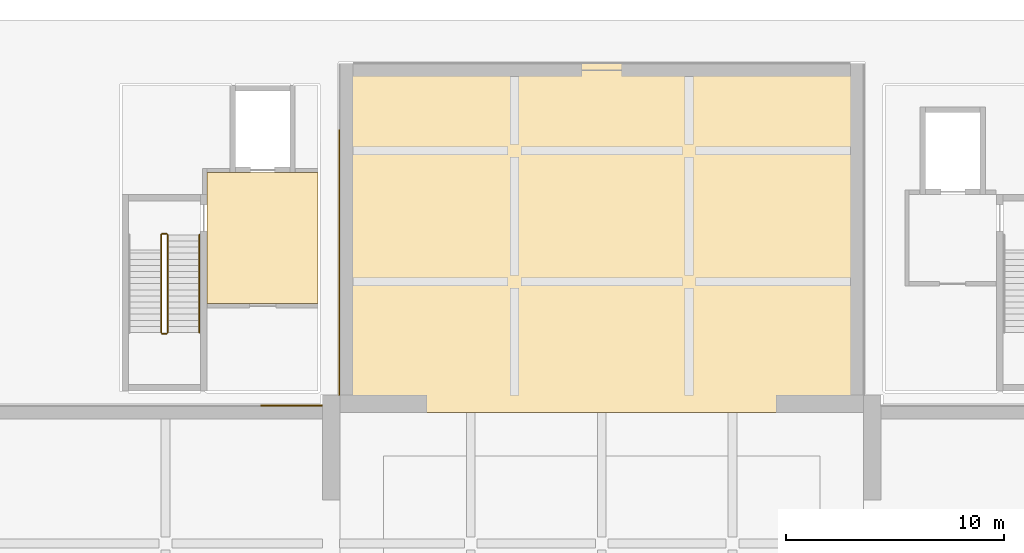
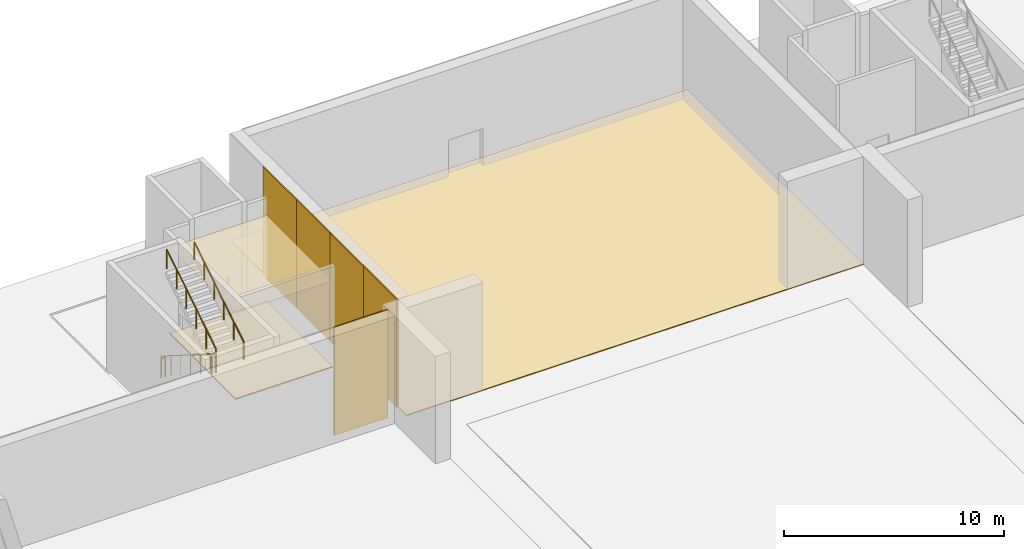
# One storey, part 137 of 155: 8 coverings, 5 railings.
"""IFC4 building model written with IfcOpenShell, lengths in metres."""

from ifc_helpers import new_model, si_unit, direction, frame, origin, origin_2d, place, context, subcontext, project, spatial, polyline, rectangle, circle, outline, extrude, material, layer, layer_set, type_object, element, save


model = new_model("IFC4")

# Units and contexts
model_context = context("Model", 3, precision=1e-05, world=origin(), true_north=direction((0.0, 1.0)))
body_context = subcontext(model_context, "Body", "Model", "MODEL_VIEW")
ifc_project = project(units=[si_unit("LENGTHUNIT", "METRE"), si_unit("AREAUNIT", "SQUARE_METRE"), si_unit("VOLUMEUNIT", "CUBIC_METRE"), si_unit("PLANEANGLEUNIT", "RADIAN"), si_unit("MASSUNIT", "GRAM", prefix="KILO")], contexts=[model_context])

# Site, building, storey
site_placement = place(None, origin())
site = spatial("IfcSite", under=ifc_project, at=site_placement, CompositionType="ELEMENT")
building_placement = place(site_placement, origin())
building = spatial("IfcBuilding", under=site, at=building_placement, Name="Lunette Opera House", CompositionType="ELEMENT")
storey_placement = place(building_placement, origin())
storey = spatial("IfcBuildingStorey", under=building, at=storey_placement, Name="L00", CompositionType="ELEMENT", Elevation=0.0)

# Railings
ifc_material_1 = material(Name="Steel S355", Category="steel")
railing_type_1 = type_object("IfcRailingType", Name="STAIR GUARD 1100", PredefinedType="GUARDRAIL", material=ifc_material_1)
railing_1_placement = place(storey_placement, frame((75.800048828125, 128.14990234375, 0.176513671875)))
element("IfcRailing", 1, at=railing_1_placement, inside=storey, type_object=railing_type_1, Name="L00 ST11 stair guard 1", PredefinedType="GUARDRAIL", context=body_context, shape_type="SweptSolid", body=[
    extrude(circle(Radius=0.02392578125, at=origin_2d()), frame((0.0, 0.0, 1.076171875), z_axis=(0.0, -0.845997938375, 0.533186166611), x_axis=(1.0, 0.0, 0.0)), (0.0, 0.0, 1.0), 5.29541015625),
    extrude(circle(Radius=0.02099609375, at=origin_2d()), origin(), (0.0, 0.0, 1.0), 1.052001953125),
    extrude(circle(Radius=0.02099609375, at=origin_2d()), frame((0.0, -0.89599609375, 0.564697265625)), (0.0, 0.0, 1.0), 1.052001953125),
    extrude(circle(Radius=0.02099609375, at=origin_2d()), frame((0.0, -1.7919921875, 1.12939453125)), (0.0, 0.0, 1.0), 1.052001953125),
    extrude(circle(Radius=0.02099609375, at=origin_2d()), frame((0.0, -2.68798828125, 1.694091796875)), (0.0, 0.0, 1.0), 1.052001953125),
    extrude(circle(Radius=0.02099609375, at=origin_2d()), frame((0.0, -3.583984375, 2.2587890625)), (0.0, 0.0, 1.0), 1.052001953125),
    extrude(circle(Radius=0.02099609375, at=origin_2d()), frame((0.0, -4.47998046875, 2.823486328125)), (0.0, 0.0, 1.0), 1.052001953125),
])
railing_2_placement = place(storey_placement, frame((75.85009765625, 123.6201171875, 3.0)))
element("IfcRailing", 2, at=railing_2_placement, inside=storey, type_object=railing_type_1, Name="L00 ST11 stair guard 2", PredefinedType="GUARDRAIL", context=body_context, shape_type="SweptSolid", body=[
    extrude(circle(Radius=0.02392578125, at=origin_2d()), frame((0.0, 0.0, 1.076171875), z_axis=(1.0, 0.0, 0.0), x_axis=(0.0, 1.0, 0.0)), (0.0, 0.0, 1.0), 0.199951171875),
    extrude(circle(Radius=0.02099609375, at=origin_2d()), origin(), (0.0, 0.0, 1.0), 1.052001953125),
    extrude(circle(Radius=0.02099609375, at=origin_2d()), frame((0.199951171875, 0.0, 0.0)), (0.0, 0.0, 1.0), 1.052001953125),
])
railing_3_placement = place(storey_placement, frame((76.10009765625, 123.669921875, 3.176513671875)))
element("IfcRailing", 3, at=railing_3_placement, inside=storey, type_object=railing_type_1, Name="L00 ST11 stair guard 3", PredefinedType="GUARDRAIL", context=body_context, shape_type="SweptSolid", body=[
    extrude(circle(Radius=0.02392578125, at=origin_2d()), frame((0.0, 0.0, 1.076171875), z_axis=(0.0, 0.845997938375, 0.533186166611), x_axis=(-1.0, 0.0, 0.0)), (0.0, 0.0, 1.0), 5.29541015625),
    extrude(circle(Radius=0.02099609375, at=origin_2d()), origin(), (0.0, 0.0, 1.0), 1.052001953125),
    extrude(circle(Radius=0.02099609375, at=origin_2d()), frame((0.0, 0.89599609375, 0.564697265625)), (0.0, 0.0, 1.0), 1.052001953125),
    extrude(circle(Radius=0.02099609375, at=origin_2d()), frame((0.0, 1.7919921875, 1.12939453125)), (0.0, 0.0, 1.0), 1.052001953125),
    extrude(circle(Radius=0.02099609375, at=origin_2d()), frame((0.0, 2.68798828125, 1.694091796875)), (0.0, 0.0, 1.0), 1.052001953125),
    extrude(circle(Radius=0.02099609375, at=origin_2d()), frame((0.0, 3.583984375, 2.2587890625)), (0.0, 0.0, 1.0), 1.052001953125),
    extrude(circle(Radius=0.02099609375, at=origin_2d()), frame((0.0, 4.47998046875, 2.823486328125)), (0.0, 0.0, 1.0), 1.052001953125),
])
railing_4_placement = place(storey_placement, frame((75.85009765625, 128.199951171875, 0.0)))
element("IfcRailing", 4, at=railing_4_placement, inside=storey, type_object=railing_type_1, Name="L00 ST11 stair guard 4", PredefinedType="GUARDRAIL", context=body_context, shape_type="SweptSolid", body=[
    extrude(circle(Radius=0.02392578125, at=origin_2d()), frame((0.0, 0.0, 1.076171875), z_axis=(1.0, 0.0, 0.0), x_axis=(0.0, 1.0, 0.0)), (0.0, 0.0, 1.0), 0.199951171875),
    extrude(circle(Radius=0.02099609375, at=origin_2d()), origin(), (0.0, 0.0, 1.0), 1.052001953125),
    extrude(circle(Radius=0.02099609375, at=origin_2d()), frame((0.199951171875, 0.0, 0.0)), (0.0, 0.0, 1.0), 1.052001953125),
])
ifc_material_2 = material(Name="Steel S355", Category="steel")
railing_type_2 = type_object("IfcRailingType", Name="STAIR HANDRAIL 1000", PredefinedType="HANDRAIL", material=ifc_material_2)
railing_5_placement = place(storey_placement, frame((77.550048828125, 123.669921875, 3.176513671875)))
element("IfcRailing", 5, at=railing_5_placement, inside=storey, type_object=railing_type_2, Name="L00 ST11 stair handrail 2", PredefinedType="HANDRAIL", context=body_context, shape_type="SweptSolid", body=[
    extrude(circle(Radius=0.02392578125, at=origin_2d()), frame((0.0, 0.0, 0.97607421875), z_axis=(0.0, 0.845997938375, 0.533186166611), x_axis=(-1.0, 0.0, 0.0)), (0.0, 0.0, 1.0), 5.29541015625),
    extrude(circle(Radius=0.02099609375, at=origin_2d()), origin(), (0.0, 0.0, 1.0), 0.951904296875),
    extrude(circle(Radius=0.02099609375, at=origin_2d()), frame((0.0, 0.89599609375, 0.564697265625)), (0.0, 0.0, 1.0), 0.951904296875),
    extrude(circle(Radius=0.02099609375, at=origin_2d()), frame((0.0, 1.7919921875, 1.12939453125)), (0.0, 0.0, 1.0), 0.951904296875),
    extrude(circle(Radius=0.02099609375, at=origin_2d()), frame((0.0, 2.68798828125, 1.694091796875)), (0.0, 0.0, 1.0), 0.951904296875),
    extrude(circle(Radius=0.02099609375, at=origin_2d()), frame((0.0, 3.583984375, 2.2587890625)), (0.0, 0.0, 1.0), 0.951904296875),
    extrude(circle(Radius=0.02099609375, at=origin_2d()), frame((0.0, 4.47998046875, 2.823486328125)), (0.0, 0.0, 1.0), 0.951904296875),
])

# Coverings
ifc_material_3 = material(Name="Aluminium standing seam cladding", Category="aluminium")
ifc_layer_1 = layer(ifc_material_3, 0.06005859375)
ifc_layer_set_1 = layer_set([ifc_layer_1], Name="Aluminium standing seam cladding")
covering_type_1 = type_object("IfcCoveringType", Name="STANDING SEAM CLADDING 60", PredefinedType="CLADDING", material=ifc_layer_set_1)
covering_1_placement = place(storey_placement, frame((81.787109375, 120.330078125, 0.0), z_axis=(0.0, 0.0, 1.0), x_axis=(1.0, 0.0, 0.0)))
element("IfcCovering", 6, at=covering_1_placement, inside=storey, type_object=covering_type_1, Name="Standing seam cladding SW-N-1 L00 07", PredefinedType="CLADDING", context=body_context, shape_type="SweptSolid", body=[
    extrude(rectangle(XDim=2.824951171875, YDim=0.06005859375, at=origin_2d()), origin(), (0.0, 0.0, 1.0), 6.0),
])
for number, where, z_axis, x_axis, name in (
    (7, (83.969970703125, 122.320068359375, 0.0), (0.0, 0.0, 1.0), (0.0, 1.0, 0.0), "Standing seam cladding SR-W-1 L00 00"),
    (8, (83.969970703125, 125.360107421875, 0.0), (0.0, 0.0, 1.0), (0.0, 1.0, 0.0), "Standing seam cladding SR-W-1 L00 01"),
    (9, (83.969970703125, 128.39990234375, 0.0), (0.0, 0.0, 1.0), (0.0, 1.0, 0.0), "Standing seam cladding SR-W-1 L00 02"),
    (10, (83.969970703125, 131.43994140625, 0.0), (0.0, 0.0, 1.0), (0.0, 1.0, 0.0), "Standing seam cladding SR-W-1 L00 03"),
):
    element("IfcCovering", number, at=place(storey_placement, frame(where, z_axis=z_axis, x_axis=x_axis)), inside=storey, type_object=covering_type_1, Name=name, PredefinedType="CLADDING", context=body_context, shape_type="SweptSolid", body=[
        extrude(rectangle(XDim=3.0400390625, YDim=0.06005859375, at=origin_2d()), origin(), (0.0, 0.0, 1.0), 6.0),
    ])
ifc_material_4 = material(Name="Mineral fibre board")
ifc_layer_2 = layer(ifc_material_4, 0.014892578125)
ifc_layer_set_2 = layer_set([ifc_layer_2], Name="Mineral fibre board")
covering_type_2 = type_object("IfcCoveringType", Name="SUSPENDED ACOUSTIC CEILING 15", PredefinedType="CEILING", material=ifc_layer_set_2)
covering_2_placement = place(storey_placement, frame((0.0, 0.0, 4.81494140625)))
element("IfcCovering", 11, at=covering_2_placement, inside=storey, type_object=covering_type_2, Name="Ceiling Lift Lobby L00 Stage Tower", PredefinedType="CEILING", context=body_context, shape_type="SweptSolid", body=[
    extrude(outline(polyline([(83.0, 125.0), (83.0, 131.0), (77.89990234375, 131.0), (77.89990234375, 125.0), (83.0, 125.0)])), origin(), (0.0, 0.0, 1.0), 0.01513671875),
])
ifc_material_5 = material(Name="Terrazzo")
ifc_layer_3 = layer(ifc_material_5, 0.06005859375)
ifc_layer_set_3 = layer_set([ifc_layer_3], Name="Terrazzo")
covering_type_3 = type_object("IfcCoveringType", Name="TERRAZZO FLOOR FINISH 60", PredefinedType="FLOORING", material=ifc_layer_set_3)
covering_3_placement = place(storey_placement, origin())
element("IfcCovering", 12, at=covering_3_placement, inside=storey, type_object=covering_type_3, Name="Floor finish Lift Lobby L00 Stage Tower", PredefinedType="FLOORING", context=body_context, shape_type="SweptSolid", body=[
    extrude(outline(polyline([(83.0, 125.0), (83.0, 131.0), (77.89990234375, 131.0), (77.89990234375, 125.0), (83.0, 125.0)])), origin(), (0.0, 0.0, 1.0), 0.06005859375),
])
ifc_material_6 = material(Name="Timber", Category="wood")
ifc_layer_4 = layer(ifc_material_6, 0.0400390625)
ifc_layer_set_4 = layer_set([ifc_layer_4], Name="Timber")
covering_type_4 = type_object("IfcCoveringType", Name="TIMBER FLOOR FINISH 40", PredefinedType="FLOORING", material=ifc_layer_set_4)
covering_4_placement = place(storey_placement, origin())
element("IfcCovering", 13, at=covering_4_placement, inside=storey, type_object=covering_type_4, Name="Floor finish Rear Stage", PredefinedType="FLOORING", context=body_context, shape_type="SweptSolid", body=[
    extrude(outline(polyline([(84.0, 136.0), (108.0, 136.0), (108.0, 120.0), (84.0, 120.0), (84.0, 136.0)])), origin(), (0.0, 0.0, 1.0), 0.0400390625),
])

save(model, "model.ifc")
